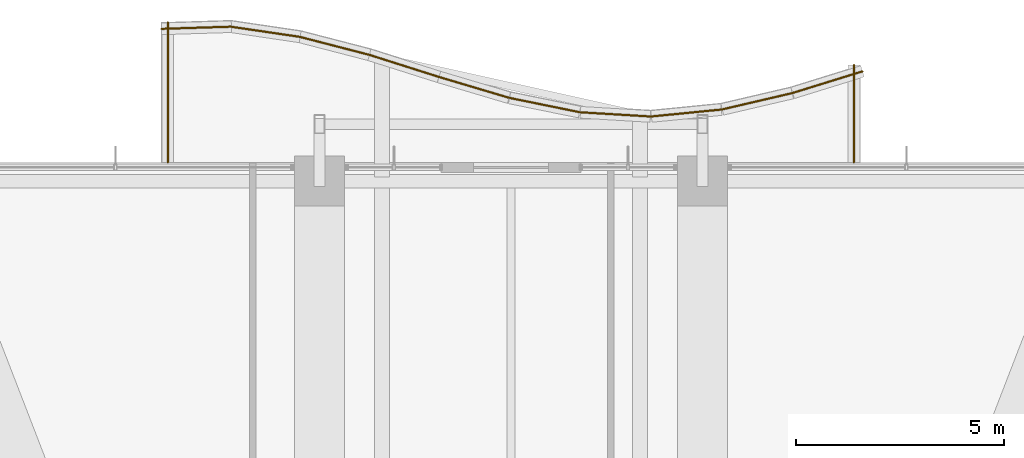
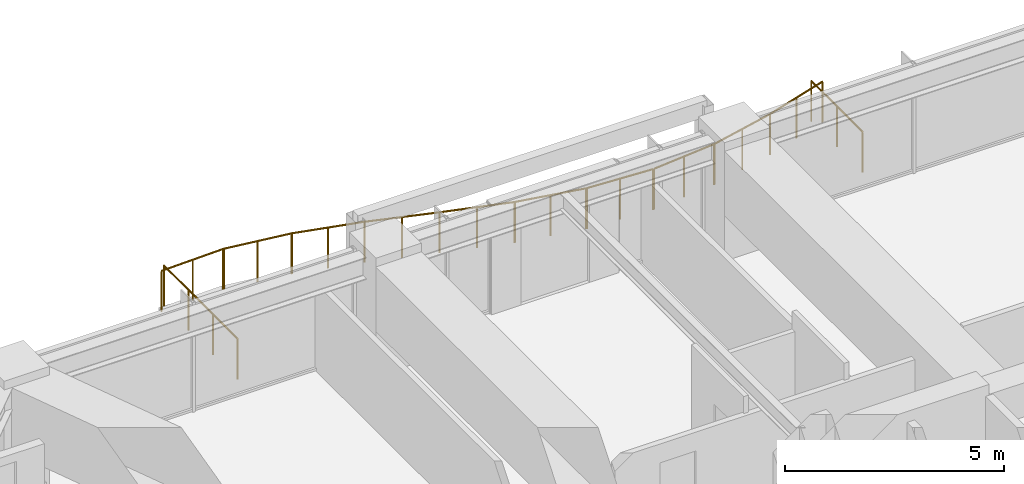
# One storey, part 37 of 37: 12 railings.
"""IFC4 building model written with IfcOpenShell, lengths in metres."""

from ifc_helpers import new_model, si_unit, direction, frame, origin, origin_2d, place, context, subcontext, project, spatial, circle, extrude, material, type_object, element, save


model = new_model("IFC4")

# Units and contexts
model_context = context("Model", 3, precision=1e-05, world=origin(), true_north=direction((0.0, 1.0)))
body_context = subcontext(model_context, "Body", "Model", "MODEL_VIEW")
ifc_project = project(units=[si_unit("LENGTHUNIT", "METRE"), si_unit("AREAUNIT", "SQUARE_METRE"), si_unit("VOLUMEUNIT", "CUBIC_METRE"), si_unit("PLANEANGLEUNIT", "RADIAN"), si_unit("MASSUNIT", "GRAM", prefix="KILO")], contexts=[model_context])

# Site, building, storey
site_placement = place(None, origin())
site = spatial("IfcSite", under=ifc_project, at=site_placement, CompositionType="ELEMENT")
building_placement = place(site_placement, origin())
building = spatial("IfcBuilding", under=site, at=building_placement, Name="Kolvaren Belvedere", CompositionType="ELEMENT")
storey_placement = place(building_placement, frame((0.0, 0.0, 56.800048828125)))
storey = spatial("IfcBuildingStorey", under=building, at=storey_placement, Name="L16", CompositionType="ELEMENT", Elevation=56.800048828125)

# Railings
ifc_material = material(Name="Anodised pale-metal aluminium & laminated glass guard", Category="aluminium")
railing_type = type_object("IfcRailingType", Name="RL-GUARD-1150", PredefinedType="GUARDRAIL", material=ifc_material)
railing_1_placement = place(storey_placement, frame((8.239990234375, 22.0, 0.35986328125)))
element("IfcRailing", 1, at=railing_1_placement, inside=storey, type_object=railing_type, Name="L16 Exterior Deck Safety Guard BAL-N-11", PredefinedType="GUARDRAIL", context=body_context, shape_type="SweptSolid", body=[
    extrude(circle(Radius=0.02392578125, at=origin_2d()), frame((0.0, 0.0, 1.1259765625), z_axis=(0.0, 1.0, 0.0), x_axis=(-1.0, 0.0, 0.0)), (0.0, 0.0, 1.0), 2.340087890625),
    extrude(circle(Radius=0.02099609375, at=origin_2d()), origin(), (0.0, 0.0, 1.0), 1.101806640625),
    extrude(circle(Radius=0.02099609375, at=origin_2d()), frame((0.0, 1.169921875, 0.0)), (0.0, 0.0, 1.0), 1.101806640625),
    extrude(circle(Radius=0.02099609375, at=origin_2d()), frame((0.0, 2.340087890625, 0.0)), (0.0, 0.0, 1.0), 1.101806640625),
])
railing_2_placement = place(storey_placement, frame((8.447265625, 24.187255859375, 0.35986328125)))
element("IfcRailing", 2, at=railing_2_placement, inside=storey, type_object=railing_type, Name="L16 Exterior Deck Safety Guard BAL-N-12", PredefinedType="GUARDRAIL", context=body_context, shape_type="SweptSolid", body=[
    extrude(circle(Radius=0.02392578125, at=origin_2d()), frame((0.0, 0.0, 1.1259765625), z_axis=(-0.95524013163, -0.295831524561, 0.0), x_axis=(0.295831524561, -0.95524013163, 0.0)), (0.0, 0.0, 1.0), 1.758544921875),
    extrude(circle(Radius=0.02099609375, at=origin_2d()), origin(), (0.0, 0.0, 1.0), 1.101806640625),
    extrude(circle(Radius=0.02099609375, at=origin_2d()), frame((-0.83984375, -0.26025390625, 0.0)), (0.0, 0.0, 1.0), 1.101806640625),
    extrude(circle(Radius=0.02099609375, at=origin_2d()), frame((-1.679931640625, -0.520263671875, 0.0)), (0.0, 0.0, 1.0), 1.101806640625),
])
railing_3_placement = place(storey_placement, frame((6.75634765625, 23.663818359375, 0.35986328125)))
element("IfcRailing", 3, at=railing_3_placement, inside=storey, type_object=railing_type, Name="L16 Exterior Deck Safety Guard BAL-N-13", PredefinedType="GUARDRAIL", context=body_context, shape_type="SweptSolid", body=[
    extrude(circle(Radius=0.02392578125, at=origin_2d()), frame((0.0, 0.0, 1.1259765625), z_axis=(-0.973890253884, -0.227019323824, 0.0), x_axis=(0.227019323824, -0.973890253884, 0.0)), (0.0, 0.0, 1.0), 1.724853515625),
    extrude(circle(Radius=0.02099609375, at=origin_2d()), origin(), (0.0, 0.0, 1.0), 1.101806640625),
    extrude(circle(Radius=0.02099609375, at=origin_2d()), frame((-0.83984375, -0.19580078125, 0.0)), (0.0, 0.0, 1.0), 1.101806640625),
    extrude(circle(Radius=0.02099609375, at=origin_2d()), frame((-1.679931640625, -0.3916015625, 0.0)), (0.0, 0.0, 1.0), 1.101806640625),
])
railing_4_placement = place(storey_placement, frame((5.0556640625, 23.268798828125, 0.35986328125)))
element("IfcRailing", 4, at=railing_4_placement, inside=storey, type_object=railing_type, Name="L16 Exterior Deck Safety Guard BAL-N-14", PredefinedType="GUARDRAIL", context=body_context, shape_type="SweptSolid", body=[
    extrude(circle(Radius=0.02392578125, at=origin_2d()), frame((0.0, 0.0, 1.1259765625), z_axis=(-0.995152499202, -0.098343801694, 0.0), x_axis=(0.098343801694, -0.995152499202, 0.0)), (0.0, 0.0, 1.0), 1.688232421875),
    extrude(circle(Radius=0.02099609375, at=origin_2d()), origin(), (0.0, 0.0, 1.0), 1.101806640625),
    extrude(circle(Radius=0.02099609375, at=origin_2d()), frame((-0.83984375, -0.0830078125, 0.0)), (0.0, 0.0, 1.0), 1.101806640625),
    extrude(circle(Radius=0.02099609375, at=origin_2d()), frame((-1.679931640625, -0.166015625, 0.0)), (0.0, 0.0, 1.0), 1.101806640625),
])
railing_5_placement = place(storey_placement, frame((3.350341796875, 23.102294921875, 0.35986328125)))
element("IfcRailing", 5, at=railing_5_placement, inside=storey, type_object=railing_type, Name="L16 Exterior Deck Safety Guard BAL-N-15", PredefinedType="GUARDRAIL", context=body_context, shape_type="SweptSolid", body=[
    extrude(circle(Radius=0.02392578125, at=origin_2d()), frame((0.0, 0.0, 1.1259765625), z_axis=(-0.998203631072, 0.059912527196, 0.0), x_axis=(-0.059912527196, -0.998203631072, 0.0)), (0.0, 0.0, 1.0), 1.682861328125),
    extrude(circle(Radius=0.02099609375, at=origin_2d()), origin(), (0.0, 0.0, 1.0), 1.101806640625),
    extrude(circle(Radius=0.02099609375, at=origin_2d()), frame((-0.83984375, 0.05029296875, 0.0)), (0.0, 0.0, 1.0), 1.101806640625),
    extrude(circle(Radius=0.02099609375, at=origin_2d()), frame((-1.679931640625, 0.100830078125, 0.0)), (0.0, 0.0, 1.0), 1.101806640625),
])
railing_6_placement = place(storey_placement, frame((1.64794921875, 23.2060546875, 0.35986328125)))
element("IfcRailing", 6, at=railing_6_placement, inside=storey, type_object=railing_type, Name="L16 Exterior Deck Safety Guard BAL-N-16", PredefinedType="GUARDRAIL", context=body_context, shape_type="SweptSolid", body=[
    extrude(circle(Radius=0.02392578125, at=origin_2d()), frame((0.0, 0.0, 1.1259765625), z_axis=(-0.979867779516, 0.199647526069, 0.0), x_axis=(-0.199647526069, -0.979867779516, 0.0)), (0.0, 0.0, 1.0), 1.71435546875),
    extrude(circle(Radius=0.02099609375, at=origin_2d()), origin(), (0.0, 0.0, 1.0), 1.101806640625),
    extrude(circle(Radius=0.02099609375, at=origin_2d()), frame((-0.83984375, 0.171142578125, 0.0)), (0.0, 0.0, 1.0), 1.101806640625),
    extrude(circle(Radius=0.02099609375, at=origin_2d()), frame((-1.679931640625, 0.34228515625, 0.0)), (0.0, 0.0, 1.0), 1.101806640625),
])
railing_7_placement = place(storey_placement, frame((-0.045654296875, 23.5517578125, 0.35986328125)))
element("IfcRailing", 7, at=railing_7_placement, inside=storey, type_object=railing_type, Name="L16 Exterior Deck Safety Guard BAL-N-17", PredefinedType="GUARDRAIL", context=body_context, shape_type="SweptSolid", body=[
    extrude(circle(Radius=0.02392578125, at=origin_2d()), frame((0.0, 0.0, 1.1259765625), z_axis=(-0.958525043221, 0.28500831833, 0.0), x_axis=(-0.28500831833, -0.958525043221, 0.0)), (0.0, 0.0, 1.0), 1.752685546875),
    extrude(circle(Radius=0.02099609375, at=origin_2d()), origin(), (0.0, 0.0, 1.0), 1.101806640625),
    extrude(circle(Radius=0.02099609375, at=origin_2d()), frame((-0.83984375, 0.249755859375, 0.0)), (0.0, 0.0, 1.0), 1.101806640625),
    extrude(circle(Radius=0.02099609375, at=origin_2d()), frame((-1.679931640625, 0.49951171875, 0.0)), (0.0, 0.0, 1.0), 1.101806640625),
])
railing_8_placement = place(storey_placement, frame((-1.728515625, 24.052001953125, 0.35986328125)))
element("IfcRailing", 8, at=railing_8_placement, inside=storey, type_object=railing_type, Name="L16 Exterior Deck Safety Guard BAL-N-18", PredefinedType="GUARDRAIL", context=body_context, shape_type="SweptSolid", body=[
    extrude(circle(Radius=0.02392578125, at=origin_2d()), frame((0.0, 0.0, 1.1259765625), z_axis=(-0.953142020151, 0.302523204768, 0.0), x_axis=(-0.302523204768, -0.953142020151, 0.0)), (0.0, 0.0, 1.0), 1.762451171875),
    extrude(circle(Radius=0.02099609375, at=origin_2d()), origin(), (0.0, 0.0, 1.0), 1.101806640625),
    extrude(circle(Radius=0.02099609375, at=origin_2d()), frame((-0.83984375, 0.2666015625, 0.0)), (0.0, 0.0, 1.0), 1.101806640625),
    extrude(circle(Radius=0.02099609375, at=origin_2d()), frame((-1.679931640625, 0.533203125, 0.0)), (0.0, 0.0, 1.0), 1.101806640625),
])
railing_9_placement = place(storey_placement, frame((-3.400146484375, 24.582763671875, 0.35986328125)))
element("IfcRailing", 9, at=railing_9_placement, inside=storey, type_object=railing_type, Name="L16 Exterior Deck Safety Guard BAL-N-19", PredefinedType="GUARDRAIL", context=body_context, shape_type="SweptSolid", body=[
    extrude(circle(Radius=0.02392578125, at=origin_2d()), frame((0.0, 0.0, 1.1259765625), z_axis=(-0.968132209145, 0.250439664624, 0.0), x_axis=(-0.250439664624, -0.968132209145, 0.0)), (0.0, 0.0, 1.0), 1.7353515625),
    extrude(circle(Radius=0.02099609375, at=origin_2d()), origin(), (0.0, 0.0, 1.0), 1.101806640625),
    extrude(circle(Radius=0.02099609375, at=origin_2d()), frame((-0.83984375, 0.21728515625, 0.0)), (0.0, 0.0, 1.0), 1.101806640625),
    extrude(circle(Radius=0.02099609375, at=origin_2d()), frame((-1.679931640625, 0.4345703125, 0.0)), (0.0, 0.0, 1.0), 1.101806640625),
])
railing_10_placement = place(storey_placement, frame((-5.063232421875, 25.013916015625, 0.35986328125)))
element("IfcRailing", 10, at=railing_10_placement, inside=storey, type_object=railing_type, Name="L16 Exterior Deck Safety Guard BAL-N-20", PredefinedType="GUARDRAIL", context=body_context, shape_type="SweptSolid", body=[
    extrude(circle(Radius=0.02392578125, at=origin_2d()), frame((0.0, 0.0, 1.1259765625), z_axis=(-0.98929818871, 0.145907826437, 0.0), x_axis=(-0.145907826437, -0.98929818871, 0.0)), (0.0, 0.0, 1.0), 1.6982421875),
    extrude(circle(Radius=0.02099609375, at=origin_2d()), origin(), (0.0, 0.0, 1.0), 1.101806640625),
    extrude(circle(Radius=0.02099609375, at=origin_2d()), frame((-0.840087890625, 0.1240234375, 0.0)), (0.0, 0.0, 1.0), 1.101806640625),
    extrude(circle(Radius=0.02099609375, at=origin_2d()), frame((-1.68017578125, 0.247802734375, 0.0)), (0.0, 0.0, 1.0), 1.101806640625),
])
railing_11_placement = place(storey_placement, frame((-6.715087890625, 25.260009765625, 0.35986328125)))
element("IfcRailing", 11, at=railing_11_placement, inside=storey, type_object=railing_type, Name="L16 Exterior Deck Safety Guard BAL-N-21", PredefinedType="GUARDRAIL", context=body_context, shape_type="SweptSolid", body=[
    extrude(circle(Radius=0.02392578125, at=origin_2d()), frame((0.0, 0.0, 1.1259765625), z_axis=(-0.999507673088, -0.031375331694, 0.0), x_axis=(0.031375331694, -0.999507673088, 0.0)), (0.0, 0.0, 1.0), 1.6806640625),
    extrude(circle(Radius=0.02099609375, at=origin_2d()), origin(), (0.0, 0.0, 1.0), 1.101806640625),
    extrude(circle(Radius=0.02099609375, at=origin_2d()), frame((-0.83984375, -0.0263671875, 0.0)), (0.0, 0.0, 1.0), 1.101806640625),
    extrude(circle(Radius=0.02099609375, at=origin_2d()), frame((-1.679931640625, -0.052734375, 0.0)), (0.0, 0.0, 1.0), 1.101806640625),
])
railing_12_placement = place(storey_placement, frame((-8.239990234375, 25.3671875, 0.35986328125)))
element("IfcRailing", 12, at=railing_12_placement, inside=storey, type_object=railing_type, Name="L16 Exterior Deck Safety Guard BAL-N-22", PredefinedType="GUARDRAIL", context=body_context, shape_type="SweptSolid", body=[
    extrude(circle(Radius=0.02392578125, at=origin_2d()), frame((0.0, 0.0, 1.1259765625), z_axis=(0.0, -1.0, 0.0), x_axis=(1.0, 0.0, 0.0)), (0.0, 0.0, 1.0), 3.3671875),
    extrude(circle(Radius=0.02099609375, at=origin_2d()), origin(), (0.0, 0.0, 1.0), 1.101806640625),
    extrude(circle(Radius=0.02099609375, at=origin_2d()), frame((0.0, -1.122314453125, 0.0)), (0.0, 0.0, 1.0), 1.101806640625),
    extrude(circle(Radius=0.02099609375, at=origin_2d()), frame((0.0, -2.244873046875, 0.0)), (0.0, 0.0, 1.0), 1.101806640625),
    extrude(circle(Radius=0.02099609375, at=origin_2d()), frame((0.0, -3.3671875, 0.0)), (0.0, 0.0, 1.0), 1.101806640625),
])

save(model, "model.ifc")
